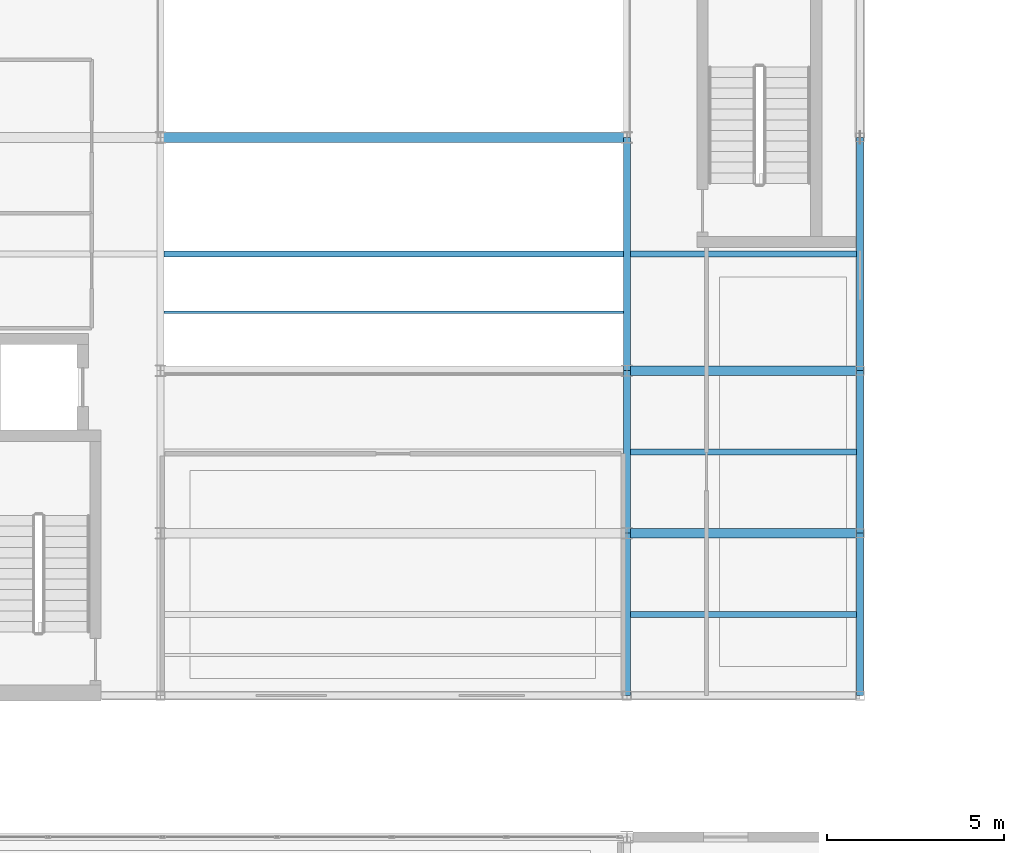
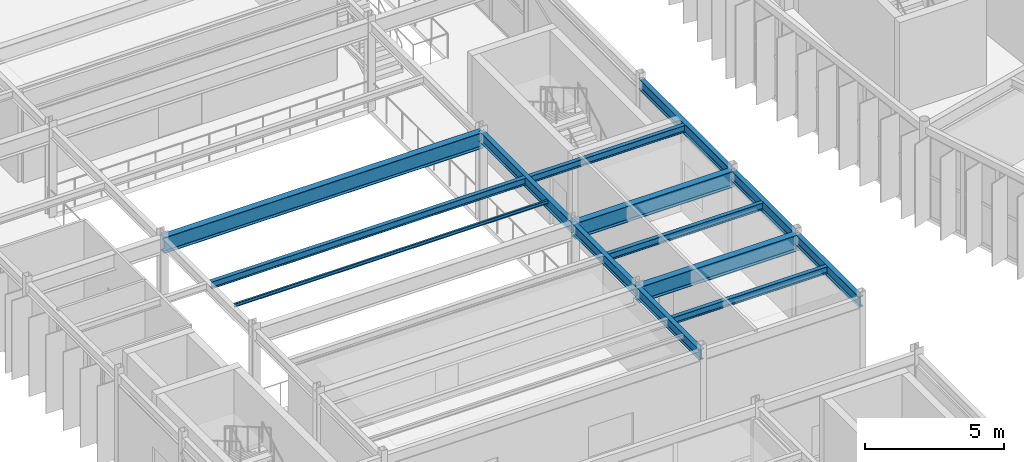
# One storey, part 35 of 148: 14 beams.
"""IFC4 building model written with IfcOpenShell, lengths in metres."""

from ifc_helpers import new_model, si_unit, direction, frame, origin, origin_2d, place, context, subcontext, project, spatial, i_section, extrude, material, material_profile, profile_set, type_object, element, save


model = new_model("IFC4")

# Units and contexts
model_context = context("Model", 3, precision=1e-05, world=origin(), true_north=direction((0.0, 1.0)))
body_context = subcontext(model_context, "Body", "Model", "MODEL_VIEW")
ifc_project = project(units=[si_unit("LENGTHUNIT", "METRE"), si_unit("AREAUNIT", "SQUARE_METRE"), si_unit("VOLUMEUNIT", "CUBIC_METRE"), si_unit("PLANEANGLEUNIT", "RADIAN"), si_unit("MASSUNIT", "GRAM", prefix="KILO")], contexts=[model_context])

# Site, building, storey
site_placement = place(None, origin())
site = spatial("IfcSite", under=ifc_project, at=site_placement, CompositionType="ELEMENT")
building_placement = place(site_placement, origin())
building = spatial("IfcBuilding", under=site, at=building_placement, Name="Karori Crest Natural Sciences Institute", CompositionType="ELEMENT")
storey_placement = place(building_placement, frame((0.0, 0.0, 4.89990234375)))
storey = spatial("IfcBuildingStorey", under=building, at=storey_placement, Name="L01", CompositionType="ELEMENT", Elevation=4.89990234375)

# Beams
ifc_material = material(Name="Structural steel AS/NZS 3679.1 Grade 350", Category="steel")
ifc_material_profile_1 = material_profile(ifc_material, i_section(OverallWidth=0.27490234375, OverallDepth=0.699951171875, WebThickness=0.010009765625, FlangeThickness=0.02001953125, FilletRadius=0.013916015625, at=origin_2d()), Name="700WB150")
ifc_profile_set_1 = profile_set([ifc_material_profile_1], Name="Structural steel AS/NZS 3679.1 Grade 350")
beam_type_1 = type_object("IfcBeamType", Name="BT-03", PredefinedType="BEAM", material=ifc_profile_set_1)
for number, where, z_axis, x_axis, name in (
    (1, (20.60009765625, 35.800048828125, 3.570068359375), (1.0, 0.0, 0.0), (0.0, 1.0, 0.0), "Beam B-1012"),
    (2, (20.60009765625, 40.39990234375, 3.570068359375), (1.0, 0.0, 0.0), (0.0, 1.0, 0.0), "Beam B-1014"),
):
    element("IfcBeam", number, at=place(storey_placement, frame(where, z_axis=z_axis, x_axis=x_axis)), inside=storey, type_object=beam_type_1, Name=name, PredefinedType="BEAM", context=body_context, shape_type="SweptSolid", body=[
        extrude(i_section(OverallWidth=0.27490234375, OverallDepth=0.699951171875, WebThickness=0.010009765625, FlangeThickness=0.02001953125, FilletRadius=0.013916015625, at=origin_2d()), origin(), (0.0, 0.0, 1.0), 6.599853515625),
    ])
beam_1_placement = place(storey_placement, frame((7.39990234375, 47.0, 3.570068359375), z_axis=(1.0, 0.0, 0.0), x_axis=(0.0, 1.0, 0.0)))
element("IfcBeam", 3, at=beam_1_placement, inside=storey, type_object=beam_type_1, Name="Beam B-1016", PredefinedType="BEAM", context=body_context, shape_type="SweptSolid", body=[
    extrude(i_section(OverallWidth=0.27490234375, OverallDepth=0.699951171875, WebThickness=0.010009765625, FlangeThickness=0.02001953125, FilletRadius=0.013916015625, at=origin_2d()), origin(), (0.0, 0.0, 1.0), 13.2001953125),
])
ifc_material_profile_2 = material_profile(ifc_material, i_section(OverallWidth=0.19091796875, OverallDepth=0.4599609375, WebThickness=0.010009765625, FlangeThickness=0.01611328125, FilletRadius=0.010986328125, at=origin_2d()), Name="460UB82.1")
ifc_profile_set_2 = profile_set([ifc_material_profile_2], Name="Structural steel AS/NZS 3679.1 Grade 350")
beam_type_2 = type_object("IfcBeamType", Name="BT-06", PredefinedType="BEAM", material=ifc_profile_set_2)
beam_2_placement = place(storey_placement, frame((20.60009765625, 31.199951171875, 3.690185546875), z_axis=(0.0, 1.0, 0.0), x_axis=(-1.0, 0.0, 0.0)))
element("IfcBeam", 4, at=beam_2_placement, inside=storey, type_object=beam_type_2, Name="Beam B-1042", PredefinedType="BEAM", context=body_context, shape_type="SweptSolid", body=[
    extrude(i_section(OverallWidth=0.19091796875, OverallDepth=0.4599609375, WebThickness=0.010009765625, FlangeThickness=0.01611328125, FilletRadius=0.010986328125, at=origin_2d()), origin(), (0.0, 0.0, 1.0), 4.60009765625),
])
beam_3_placement = place(storey_placement, frame((20.60009765625, 35.800048828125, 3.690185546875), z_axis=(0.0, 1.0, 0.0), x_axis=(-1.0, 0.0, 0.0)))
element("IfcBeam", 5, at=beam_3_placement, inside=storey, type_object=beam_type_2, Name="Beam B-1043", PredefinedType="BEAM", context=body_context, shape_type="SweptSolid", body=[
    extrude(i_section(OverallWidth=0.19091796875, OverallDepth=0.4599609375, WebThickness=0.010009765625, FlangeThickness=0.01611328125, FilletRadius=0.010986328125, at=origin_2d()), origin(), (0.0, 0.0, 1.0), 4.599853515625),
])
beam_4_placement = place(storey_placement, frame((20.60009765625, 40.39990234375, 3.690185546875), z_axis=(0.0, 1.0, 0.0), x_axis=(-1.0, 0.0, 0.0)))
element("IfcBeam", 6, at=beam_4_placement, inside=storey, type_object=beam_type_2, Name="Beam B-1044", PredefinedType="BEAM", context=body_context, shape_type="SweptSolid", body=[
    extrude(i_section(OverallWidth=0.19091796875, OverallDepth=0.4599609375, WebThickness=0.010009765625, FlangeThickness=0.01611328125, FilletRadius=0.010986328125, at=origin_2d()), origin(), (0.0, 0.0, 1.0), 6.60009765625),
])
ifc_material_profile_3 = material_profile(ifc_material, i_section(OverallWidth=0.19091796875, OverallDepth=0.4599609375, WebThickness=0.010009765625, FlangeThickness=0.01611328125, FilletRadius=0.010986328125, at=origin_2d()), Name="460UB82.1")
ifc_profile_set_3 = profile_set([ifc_material_profile_3], Name="Structural steel AS/NZS 3679.1 Grade 350")
beam_type_3 = type_object("IfcBeamType", Name="BT-06-EL", PredefinedType="BEAM", material=ifc_profile_set_3)
beam_5_placement = place(storey_placement, frame((27.199951171875, 31.199951171875, 3.690185546875), z_axis=(0.0, 1.0, 0.0), x_axis=(-1.0, 0.0, 0.0)))
element("IfcBeam", 7, at=beam_5_placement, inside=storey, type_object=beam_type_3, Name="Beam B-1049", PredefinedType="BEAM", context=body_context, shape_type="SweptSolid", body=[
    extrude(i_section(OverallWidth=0.19091796875, OverallDepth=0.4599609375, WebThickness=0.010009765625, FlangeThickness=0.01611328125, FilletRadius=0.010986328125, at=origin_2d()), origin(), (0.0, 0.0, 1.0), 4.60009765625),
])
beam_6_placement = place(storey_placement, frame((27.199951171875, 35.800048828125, 3.690185546875), z_axis=(0.0, 1.0, 0.0), x_axis=(-1.0, 0.0, 0.0)))
element("IfcBeam", 8, at=beam_6_placement, inside=storey, type_object=beam_type_3, Name="Beam B-1050", PredefinedType="BEAM", context=body_context, shape_type="SweptSolid", body=[
    extrude(i_section(OverallWidth=0.19091796875, OverallDepth=0.4599609375, WebThickness=0.010009765625, FlangeThickness=0.01611328125, FilletRadius=0.010986328125, at=origin_2d()), origin(), (0.0, 0.0, 1.0), 4.599853515625),
])
beam_7_placement = place(storey_placement, frame((27.199951171875, 40.39990234375, 3.690185546875), z_axis=(0.0, 1.0, 0.0), x_axis=(-1.0, 0.0, 0.0)))
element("IfcBeam", 9, at=beam_7_placement, inside=storey, type_object=beam_type_3, Name="Beam B-1051", PredefinedType="BEAM", context=body_context, shape_type="SweptSolid", body=[
    extrude(i_section(OverallWidth=0.19091796875, OverallDepth=0.4599609375, WebThickness=0.010009765625, FlangeThickness=0.01611328125, FilletRadius=0.010986328125, at=origin_2d()), origin(), (0.0, 0.0, 1.0), 6.60009765625),
])
ifc_material_profile_4 = material_profile(ifc_material, i_section(OverallWidth=0.166015625, OverallDepth=0.306884765625, WebThickness=0.006591796875, FlangeThickness=0.01171875, FilletRadius=0.010986328125, at=origin_2d()), Name="310UB46.2")
ifc_profile_set_4 = profile_set([ifc_material_profile_4], Name="Structural steel AS/NZS 3679.1 Grade 350")
beam_type_4 = type_object("IfcBeamType", Name="BT-09", PredefinedType="BEAM", material=ifc_profile_set_4)
beam_8_placement = place(storey_placement, frame((7.49560546875, 43.699951171875, 3.7666015625), z_axis=(1.0, 0.0, 0.0), x_axis=(0.0, 1.0, 0.0)))
element("IfcBeam", 10, at=beam_8_placement, inside=storey, type_object=beam_type_4, Name="Beam B-1064", PredefinedType="BEAM", context=body_context, shape_type="SweptSolid", body=[
    extrude(i_section(OverallWidth=0.166015625, OverallDepth=0.306884765625, WebThickness=0.006591796875, FlangeThickness=0.01171875, FilletRadius=0.010986328125, at=origin_2d()), origin(), (0.0, 0.0, 1.0), 13.0087890625),
])
for number, where, z_axis, x_axis, name in (
    (11, (20.695556640625, 33.5, 3.7666015625), (1.0, 0.0, 0.0), (0.0, 1.0, 0.0), "Beam B-1072"),
    (12, (20.695556640625, 38.10009765625, 3.7666015625), (1.0, 0.0, 0.0), (0.0, 1.0, 0.0), "Beam B-1073"),
    (13, (20.695556640625, 43.699951171875, 3.7666015625), (1.0, 0.0, 0.0), (0.0, 1.0, 0.0), "Beam B-1074"),
):
    element("IfcBeam", number, at=place(storey_placement, frame(where, z_axis=z_axis, x_axis=x_axis)), inside=storey, type_object=beam_type_4, Name=name, PredefinedType="BEAM", context=body_context, shape_type="SweptSolid", body=[
        extrude(i_section(OverallWidth=0.166015625, OverallDepth=0.306884765625, WebThickness=0.006591796875, FlangeThickness=0.01171875, FilletRadius=0.010986328125, at=origin_2d()), origin(), (0.0, 0.0, 1.0), 6.408935546875),
    ])
ifc_material_profile_5 = material_profile(ifc_material, i_section(OverallWidth=0.074951171875, OverallDepth=0.14990234375, WebThickness=0.0048828125, FlangeThickness=0.007080078125, FilletRadius=0.008056640625, at=origin_2d()), Name="150UB14.0")
ifc_profile_set_5 = profile_set([ifc_material_profile_5], Name="Structural steel AS/NZS 3679.1 Grade 350")
beam_type_5 = type_object("IfcBeamType", Name="BT-32", PredefinedType="LINTEL", material=ifc_profile_set_5)
beam_9_placement = place(storey_placement, frame((7.49560546875, 42.050048828125, 3.84521484375), z_axis=(1.0, 0.0, 0.0), x_axis=(0.0, 1.0, 0.0)))
element("IfcBeam", 14, at=beam_9_placement, inside=storey, type_object=beam_type_5, Name="Beam B-1065", PredefinedType="LINTEL", context=body_context, shape_type="SweptSolid", body=[
    extrude(i_section(OverallWidth=0.074951171875, OverallDepth=0.14990234375, WebThickness=0.0048828125, FlangeThickness=0.007080078125, FilletRadius=0.008056640625, at=origin_2d()), origin(), (0.0, 0.0, 1.0), 13.0087890625),
])

save(model, "model.ifc")
